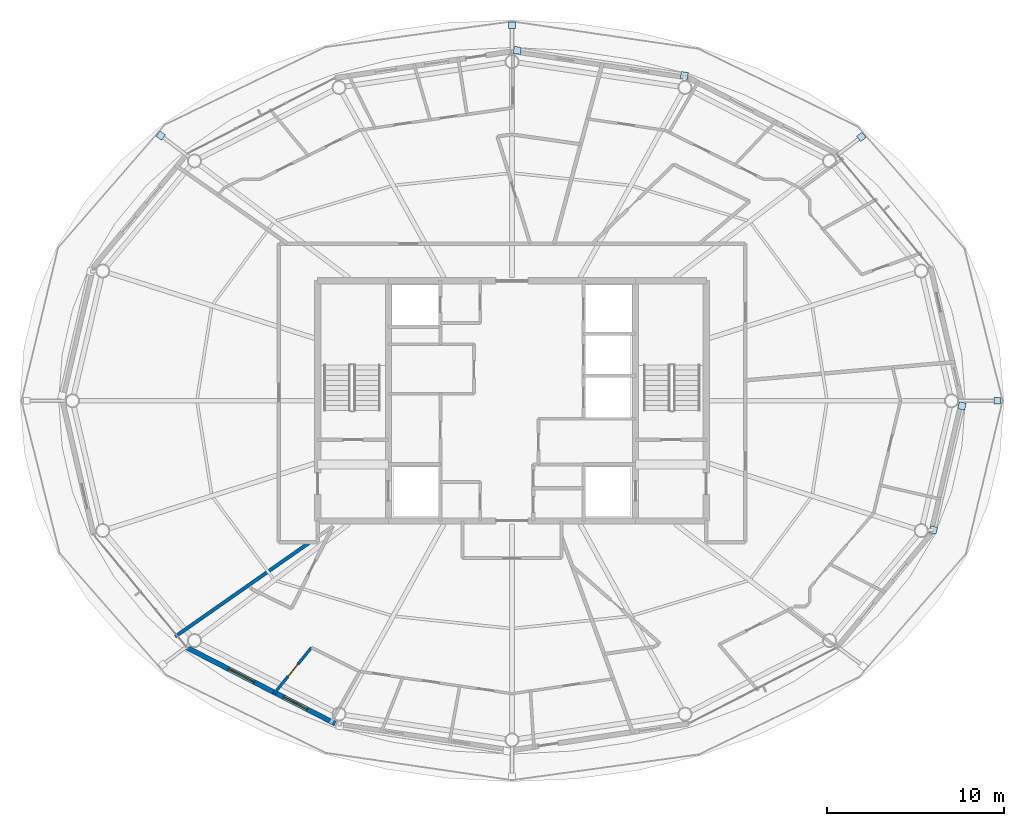
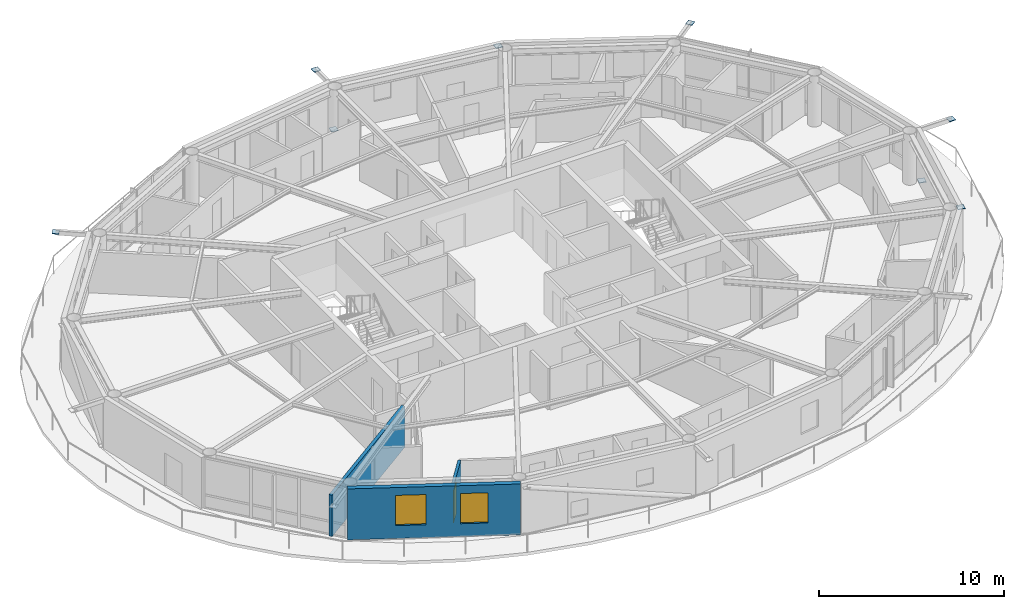
# One storey, part 15 of 23: 8 plates, 3 walls, 2 windows, 1 door, 3 openings.
"""IFC4 building model written with IfcOpenShell, lengths in metres."""

from ifc_helpers import new_model, si_unit, direction, frame, frame_2d, origin, origin_2d, place, context, subcontext, project, spatial, rectangle, extrude, material, layer, layer_set, type_object, element, fill, save


model = new_model("IFC4")

# Units and contexts
model_context = context("Model", 3, precision=1e-05, world=origin(), true_north=direction((0.0, 1.0)))
body_context = subcontext(model_context, "Body", "Model", "MODEL_VIEW")
ifc_project = project(units=[si_unit("LENGTHUNIT", "METRE"), si_unit("AREAUNIT", "SQUARE_METRE"), si_unit("VOLUMEUNIT", "CUBIC_METRE"), si_unit("PLANEANGLEUNIT", "RADIAN"), si_unit("MASSUNIT", "GRAM", prefix="KILO")], contexts=[model_context])

# Site, building, storey
site_placement = place(None, origin())
site = spatial("IfcSite", under=ifc_project, at=site_placement, CompositionType="ELEMENT")
building_placement = place(site_placement, origin())
building = spatial("IfcBuilding", under=site, at=building_placement, Name="Sarneth Arch Tower", CompositionType="ELEMENT")
storey_placement = place(building_placement, frame((0.0, 0.0, 276.60009765625)))
storey = spatial("IfcBuildingStorey", under=building, at=storey_placement, Name="L71", CompositionType="ELEMENT", Elevation=276.60009765625)

# Plates
ifc_material_1 = material(Name="Steel S355", Category="steel")
ifc_layer_1 = layer(ifc_material_1, 0.035888671875)
ifc_layer_set_1 = layer_set([ifc_layer_1], Name="Steel S355")
plate_type = type_object("IfcPlateType", Name="PLT-GUSSET-30", PredefinedType="SHEET", material=ifc_layer_set_1)
for number, where, z_axis, x_axis, name in (
    (1, (75.47509765625, 42.0, 3.19189453125), (0.0, 0.0, 1.0), (1.0, 0.0, 0.0), "Steel end cap plate GP-1"),
    (2, (67.77734375, 56.9375, 3.19189453125), (0.0, 0.0, 1.0), (0.798004853043, 0.602651022168, 0.0), "Steel end cap plate GP-1"),
):
    element("IfcPlate", number, at=place(storey_placement, frame(where, z_axis=z_axis, x_axis=x_axis)), inside=storey, type_object=plate_type, Name=name, PredefinedType="SHEET", context=body_context, shape_type="SweptSolid", body=[
        extrude(rectangle(XDim=0.3798828125, YDim=0.3798828125, at=origin_2d()), origin(), (0.0, 0.0, 1.0), 0.035888671875),
    ])
for number, where, z_axis, x_axis, name in (
    (3, (48.296630859375, 61.83544921875, 0.001953125), (0.0, 0.0, 1.0), (-0.988860535448, 0.148845024885, 0.0), "Steel end cap plate GP-1"),
    (4, (57.754150390625, 60.411376953125, 3.07421875), (0.0, 0.0, 1.0), (-0.988860535448, 0.148845024885, 0.0), "Steel end cap plate GP-1"),
):
    element("IfcPlate", number, at=place(storey_placement, frame(where, z_axis=z_axis, x_axis=x_axis)), inside=storey, type_object=plate_type, Name=name, PredefinedType="SHEET", context=body_context, shape_type="SweptSolid", body=[
        extrude(rectangle(XDim=0.404052734375, YDim=0.404052734375, at=origin_2d()), origin(), (0.0, 0.0, 1.0), 0.035888671875),
    ])
for number, where, z_axis, x_axis, name in (
    (5, (48.0, 63.258056640625, 3.19189453125), (0.0, 0.0, 1.0), (0.0, 1.0, 0.0), "Steel end cap plate GP-1"),
    (6, (28.116455078125, 57.017822265625, 3.19189453125), (0.0, 0.0, 1.0), (-0.798004853043, 0.602651022168, 0.0), "Steel end cap plate GP-1"),
):
    element("IfcPlate", number, at=place(storey_placement, frame(where, z_axis=z_axis, x_axis=x_axis)), inside=storey, type_object=plate_type, Name=name, PredefinedType="SHEET", context=body_context, shape_type="SweptSolid", body=[
        extrude(rectangle(XDim=0.3798828125, YDim=0.3798828125, at=origin_2d()), origin(), (0.0, 0.0, 1.0), 0.035888671875),
    ])
for number, where, z_axis, x_axis, name in (
    (7, (73.4765625, 41.707763671875, 0.001953125), (0.0, 0.0, 1.0), (0.225461202458, 0.974252147129, 0.0), "Steel end cap plate GP-1"),
    (8, (71.851806640625, 34.6845703125, 3.07421875), (0.0, 0.0, 1.0), (0.225461202458, 0.974252147129, 0.0), "Steel end cap plate GP-1"),
):
    element("IfcPlate", number, at=place(storey_placement, frame(where, z_axis=z_axis, x_axis=x_axis)), inside=storey, type_object=plate_type, Name=name, PredefinedType="SHEET", context=body_context, shape_type="SweptSolid", body=[
        extrude(rectangle(XDim=0.404052734375, YDim=0.404052734375, at=origin_2d()), origin(), (0.0, 0.0, 1.0), 0.035888671875),
    ])

# Wall, openings, windows
ifc_material_2 = material(Name="Extruded terracotta rainscreen on Concrete C40/50 backing", Category="masonry")
ifc_layer_2 = layer(ifc_material_2, 0.280029296875)
ifc_layer_set_2 = layer_set([ifc_layer_2], Name="Extruded terracotta rainscreen on Concrete C40/50 backing")
wall_type_1 = type_object("IfcWallType", Name="WALL-EXT-TERRA-280", PredefinedType="SOLIDWALL", material=ifc_layer_set_2)
wall_1_placement = place(storey_placement, frame((29.617431640625, 28.013427734375, 0.0), z_axis=(0.0, 0.0, 1.0), x_axis=(0.890007394051, -0.455946091699, 0.0)))
wall_1 = element("IfcWall", 9, at=wall_1_placement, inside=storey, type_object=wall_type_1, Name="L71 Terracotta perimeter wall 11", PredefinedType="SOLIDWALL", context=body_context, shape_type="SweptSolid", body=[
    extrude(rectangle(XDim=9.404296875, YDim=0.280029296875, at=frame_2d((4.7021484375, 0.0))), origin(), (0.0, 0.0, 1.0), 3.369873046875),
])
opening_1_placement = place(wall_1_placement, frame((2.608642578125, 0.0, 0.85009765625)))
opening_1 = element("IfcOpeningElement", 10, at=opening_1_placement, cuts=wall_1, Name="Opening W-05", PredefinedType="OPENING", context=body_context, shape_type="SweptSolid", body=[
    extrude(rectangle(XDim=1.64990234375, YDim=2.0, at=frame_2d((0.824951171875, 1.0))), frame((0.0, 0.14990234375, 0.0), z_axis=(0.0, -1.0, 0.0), x_axis=(1.0, 0.0, 0.0)), (0.0, 0.0, 1.0), 0.300048828125),
])
opening_2_placement = place(wall_1_placement, frame((6.12451171875, 0.0, 0.85009765625)))
opening_2 = element("IfcOpeningElement", 11, at=opening_2_placement, cuts=wall_1, Name="Opening W-06", PredefinedType="OPENING", context=body_context, shape_type="SweptSolid", body=[
    extrude(rectangle(XDim=1.5, YDim=2.0, at=frame_2d((0.75, 1.0))), frame((0.0, 0.14990234375, 0.0), z_axis=(0.0, -1.0, 0.0), x_axis=(1.0, 0.0, 0.0)), (0.0, 0.0, 1.0), 0.300048828125),
])
ifc_material_3 = material(Name="Thermally broken Aluminium 6063-T6 and low-e laminated IGU", Category="aluminium")
window_type_1 = type_object("IfcWindowType", Name="WIN-TWR-1500x2000", PartitioningType="SINGLE_PANEL", PredefinedType="WINDOW", material=ifc_material_3)
window_1_placement = place(opening_2_placement, origin())
window_1 = element("IfcWindow", 12, at=window_1_placement, inside=storey, type_object=window_type_1, Name="L71 Exterior window 11B", OverallHeight=2.0, OverallWidth=1.5, PartitioningType="SINGLE_PANEL", PredefinedType="WINDOW", context=body_context, shape_type="SweptSolid", body=[
    extrude(rectangle(XDim=1.5, YDim=2.0, at=frame_2d((0.75, 1.0))), frame((0.0, 0.030029296875, 0.0), z_axis=(0.0, -1.0, 0.0), x_axis=(1.0, 0.0, 0.0)), (0.0, 0.0, 1.0), 0.06005859375),
])
fill(opening_2, window_1)
ifc_material_4 = material(Name="Thermally broken Aluminium 6063-T6 and low-e laminated IGU", Category="aluminium")
window_type_2 = type_object("IfcWindowType", Name="WIN-TWR-1650x2000", PartitioningType="DOUBLE_PANEL_VERTICAL", PredefinedType="WINDOW", material=ifc_material_4)
window_2_placement = place(opening_1_placement, origin())
window_2 = element("IfcWindow", 13, at=window_2_placement, inside=storey, type_object=window_type_2, Name="L71 Exterior window 11A", OverallHeight=2.0, OverallWidth=1.64990234375, PartitioningType="SINGLE_PANEL", PredefinedType="WINDOW", context=body_context, shape_type="SweptSolid", body=[
    extrude(rectangle(XDim=1.64990234375, YDim=2.0, at=frame_2d((0.824951171875, 1.0))), frame((0.0, 0.030029296875, 0.0), z_axis=(0.0, -1.0, 0.0), x_axis=(1.0, 0.0, 0.0)), (0.0, 0.0, 1.0), 0.06005859375),
])
fill(opening_1, window_2)

# Wall, opening, door
ifc_material_5 = material(Name="Kitchen wet service chase wall", Category="gypsum")
ifc_layer_3 = layer(ifc_material_5, 0.159912109375)
ifc_layer_set_3 = layer_set([ifc_layer_3], Name="Kitchen wet service chase wall")
wall_type_2 = type_object("IfcWallType", Name="WALL-PLUMB-160", PredefinedType="PLUMBINGWALL", material=ifc_layer_set_3)
wall_2_placement = place(storey_placement, frame((36.64306640625, 28.0244140625, 0.0), z_axis=(0.0, 0.0, 1.0), x_axis=(-0.630641219738, -0.776074514442, 0.0)))
wall_2 = element("IfcWall", 14, at=wall_2_placement, inside=storey, type_object=wall_type_2, Name="L71 Interior partition W-L71-TP-065", PredefinedType="PLUMBINGWALL", context=body_context, shape_type="SweptSolid", body=[
    extrude(rectangle(XDim=3.404541015625, YDim=0.159912109375, at=frame_2d((1.7021484375, 0.0))), origin(), (0.0, 0.0, 1.0), 2.72998046875),
])
opening_3_placement = place(wall_2_placement, frame((1.192138671875, 0.0, 0.0)))
opening_3 = element("IfcOpeningElement", 15, at=opening_3_placement, cuts=wall_2, Name="Opening ID-01", PredefinedType="OPENING", context=body_context, shape_type="SweptSolid", body=[
    extrude(rectangle(XDim=0.89990234375, YDim=2.10009765625, at=frame_2d((0.449951171875, 1.050048828125))), frame((0.0, 0.08984375, 0.0), z_axis=(0.0, -1.0, 0.0), x_axis=(1.0, 0.0, 0.0)), (0.0, 0.0, 1.0), 0.179931640625),
])
ifc_material_6 = material(Name="Engineered hardwood flush door", Category="wood")
door_type = type_object("IfcDoorType", Name="DR-INT-900", OperationType="SINGLE_SWING_LEFT", PredefinedType="DOOR", material=ifc_material_6)
door_placement = place(opening_3_placement, origin())
door = element("IfcDoor", 16, at=door_placement, inside=storey, type_object=door_type, Name="L71 Interior door DR-L71-U4-KIT", OperationType="SINGLE_SWING_RIGHT", OverallHeight=2.10009765625, OverallWidth=0.89990234375, PredefinedType="DOOR", context=body_context, shape_type="SweptSolid", body=[
    extrude(rectangle(XDim=0.89990234375, YDim=2.10009765625, at=frame_2d((0.449951171875, 1.050048828125))), frame((0.0, 0.02490234375, 0.0), z_axis=(0.0, -1.0, 0.0), x_axis=(1.0, 0.0, 0.0)), (0.0, 0.0, 1.0), 0.050048828125),
])
fill(opening_3, door)

# Wall
ifc_material_7 = material(Name="Double steel-stud acoustic drywall", Category="steel")
ifc_layer_4 = layer(ifc_material_7, 0.199951171875)
ifc_layer_set_4 = layer_set([ifc_layer_4], Name="Double steel-stud acoustic drywall")
wall_type_3 = type_object("IfcWallType", Name="WALL-UNIT-200", PredefinedType="PARTITIONING", material=ifc_layer_set_4)
wall_3_placement = place(storey_placement, frame((36.57470703125, 34.0, 0.0), z_axis=(0.0, 0.0, 1.0), x_axis=(-0.819138444565, -0.57359585828, 0.0)))
element("IfcWall", 17, at=wall_3_placement, inside=storey, type_object=wall_type_3, Name="L71 Interior partition W-L71-TP-061", PredefinedType="PARTITIONING", context=body_context, shape_type="SweptSolid", body=[
    extrude(rectangle(XDim=9.326416015625, YDim=0.199951171875, at=frame_2d((4.6630859375, 0.0))), origin(), (0.0, 0.0, 1.0), 2.72998046875),
])

save(model, "model.ifc")
